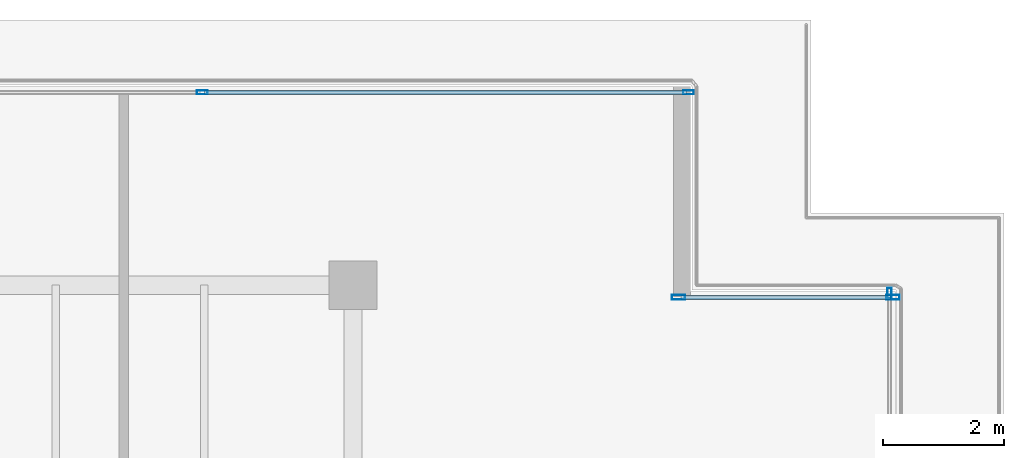
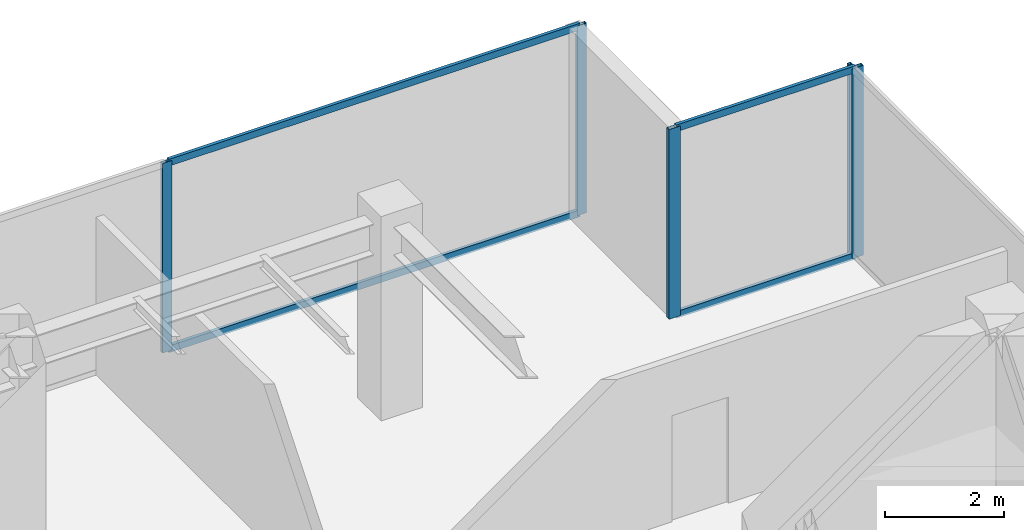
# One storey, part 24 of 34: 9 members, 3 elements without a shape of their own.
"""IFC4 building model written with IfcOpenShell, lengths in metres."""

from ifc_helpers import new_model, si_unit, direction, frame, origin, origin_2d, place, context, subcontext, project, spatial, hollow_rectangle, extrude, source, transform, mapped, material, layer, layer_set, material_profile, profile_set, type_object, type_shapes, element, aggregate, save


model = new_model("IFC4")

# Units and contexts
model_context = context("Model", 3, precision=1e-05, world=origin(), true_north=direction((0.0, 1.0)))
body_context = subcontext(model_context, "Body", "Model", "MODEL_VIEW")
ifc_project = project(units=[si_unit("LENGTHUNIT", "METRE"), si_unit("AREAUNIT", "SQUARE_METRE"), si_unit("VOLUMEUNIT", "CUBIC_METRE"), si_unit("PLANEANGLEUNIT", "RADIAN"), si_unit("MASSUNIT", "GRAM", prefix="KILO")], contexts=[model_context])

# Site, building, storey
site_placement = place(None, origin())
site = spatial("IfcSite", under=ifc_project, at=site_placement, CompositionType="ELEMENT")
building_placement = place(site_placement, origin())
building = spatial("IfcBuilding", under=site, at=building_placement, Name="Haelvirn Gate Laboratories", CompositionType="ELEMENT")
storey_placement = place(building_placement, frame((0.0, 0.0, 297.60009765625)))
storey = spatial("IfcBuildingStorey", under=building, at=storey_placement, Name="L71", CompositionType="ELEMENT", Elevation=297.60009765625)

# Curtain wall, member
ifc_material_1 = material(Name="Anodised bronze unitised aluminium & triple low-E glass", Category="aluminium")
ifc_layer_1 = layer(ifc_material_1, 0.176025390625, Name="CW-SYS-4")
ifc_layer_set_1 = layer_set([ifc_layer_1], Name="Anodised bronze unitised aluminium & triple low-E glass")
curtain_wall_type_1 = type_object("IfcCurtainWallType", Name="CW-SYS-4", PredefinedType="NOTDEFINED", material=ifc_layer_set_1)
curtain_wall_1_placement = place(storey_placement, origin())
curtain_wall_1 = element("IfcCurtainWall", 1, at=curtain_wall_1_placement, inside=storey, type_object=curtain_wall_type_1, Name="L71 Unitised Curtain Wall CW-L71-P0-E07", PredefinedType="NOTDEFINED")
ifc_material_2 = material(Name="Extruded aluminium 6063-T6 (anodised bronze)", Category="aluminium")
ifc_material_profile_1 = material_profile(ifc_material_2, hollow_rectangle(XDim=0.070068359375, YDim=0.179931640625, WallThickness=0.0048828125, at=origin_2d()), Name="CWM-180x70x5")
ifc_profile_set_1 = profile_set([ifc_material_profile_1], Name="Extruded aluminium 6063-T6 (anodised bronze)")
member_type_1 = type_object("IfcMemberType", Name="CWM-T180", PredefinedType="MULLION", material=ifc_profile_set_1)
shared_shape_1 = source(origin(), body_context, "Body", "SweptSolid", [
    extrude(hollow_rectangle(XDim=0.070068359375, YDim=0.179931640625, WallThickness=0.0048828125, at=origin_2d()), origin(), (0.0, 0.0, 1.0), 3.89990234375),
])
type_shapes(member_type_1, [shared_shape_1])
member_1_placement = place(storey_placement, frame((68.89990234375, 41.465087890625, 0.0), z_axis=(0.0, 0.0, 1.0), x_axis=(-1.0, 0.0, 0.0)))
member_1 = element("IfcMember", 2, at=member_1_placement, type_object=member_type_1, Name="CW4 mullion 3", PredefinedType="MULLION", context=body_context, shape_type="MappedRepresentation", body=[
    mapped(shared_shape_1, transform((0.0, 0.0, 0.0), scale=1.0)),
])
aggregate(curtain_wall_1, [member_1])

# Curtain wall, members
curtain_wall_2_placement = place(storey_placement, origin())
curtain_wall_2 = element("IfcCurtainWall", 3, at=curtain_wall_2_placement, inside=storey, type_object=curtain_wall_type_1, Name="L71 Unitised Curtain Wall CW-L71-P0-E10-1", PredefinedType="NOTDEFINED")
member_2_placement = place(storey_placement, frame((57.5, 44.800048828125, 0.0), z_axis=(0.0, 0.0, 1.0), x_axis=(0.0, 1.0, 0.0)))
member_2 = element("IfcMember", 4, at=member_2_placement, type_object=member_type_1, Name="CW4 mullion 2", PredefinedType="MULLION", context=body_context, shape_type="MappedRepresentation", body=[
    mapped(shared_shape_1, transform((0.0, 0.0, 0.0), scale=1.0)),
])
member_3_placement = place(storey_placement, frame((65.56494140625, 44.800048828125, 0.0), z_axis=(0.0, 0.0, 1.0), x_axis=(0.0, 1.0, 0.0)))
member_3 = element("IfcMember", 5, at=member_3_placement, type_object=member_type_1, Name="CW4 mullion 3", PredefinedType="MULLION", context=body_context, shape_type="MappedRepresentation", body=[
    mapped(shared_shape_1, transform((0.0, 0.0, 0.0), scale=1.0)),
])

ifc_layer_2 = layer(ifc_material_1, 0.181884765625, Name="CW-SYS-5")
ifc_layer_set_2 = layer_set([ifc_layer_2], Name="Anodised bronze unitised aluminium & triple low-E glass")
curtain_wall_type_2 = type_object("IfcCurtainWallType", Name="CW-SYS-5", PredefinedType="NOTDEFINED", material=ifc_layer_set_2)
curtain_wall_3_placement = place(storey_placement, origin())
curtain_wall_3 = element("IfcCurtainWall", 6, at=curtain_wall_3_placement, inside=storey, type_object=curtain_wall_type_2, Name="L71 Unitised Curtain Wall CW-L71-P0-E08-1", PredefinedType="NOTDEFINED")
ifc_material_profile_2 = material_profile(ifc_material_2, hollow_rectangle(XDim=0.080078125, YDim=0.219970703125, WallThickness=0.006103515625, at=origin_2d()), Name="CWM-220x80x6")
ifc_profile_set_2 = profile_set([ifc_material_profile_2], Name="Extruded aluminium 6063-T6 (anodised bronze)")
member_type_2 = type_object("IfcMemberType", Name="CWM-T220", PredefinedType="MULLION", material=ifc_profile_set_2)
shared_shape_2 = source(origin(), body_context, "Body", "SweptSolid", [
    extrude(hollow_rectangle(XDim=0.080078125, YDim=0.219970703125, WallThickness=0.006103515625, at=origin_2d()), origin(), (0.0, 0.0, 1.0), 3.89990234375),
])
type_shapes(member_type_2, [shared_shape_2])
member_4_placement = place(storey_placement, frame((65.39990234375, 41.39990234375, 0.0), z_axis=(0.0, 0.0, 1.0), x_axis=(0.0, 1.0, 0.0)))
member_4 = element("IfcMember", 7, at=member_4_placement, type_object=member_type_2, Name="CW5 mullion 1", PredefinedType="MULLION", context=body_context, shape_type="MappedRepresentation", body=[
    mapped(shared_shape_2, transform((0.0, 0.0, 0.0), scale=1.0)),
])
member_5_placement = place(storey_placement, frame((68.9599609375, 41.39990234375, 0.0), z_axis=(0.0, 0.0, 1.0), x_axis=(0.0, 1.0, 0.0)))
member_5 = element("IfcMember", 8, at=member_5_placement, type_object=member_type_2, Name="CW5 mullion 2", PredefinedType="MULLION", context=body_context, shape_type="MappedRepresentation", body=[
    mapped(shared_shape_2, transform((0.0, 0.0, 0.0), scale=1.0)),
])
ifc_material_profile_3 = material_profile(ifc_material_2, hollow_rectangle(XDim=0.06494140625, YDim=0.139892578125, WallThickness=0.00390625, at=origin_2d()), Name="CWT-140x65x4")
ifc_profile_set_3 = profile_set([ifc_material_profile_3], Name="Extruded aluminium 6063-T6 (anodised bronze)")
member_type_3 = type_object("IfcMemberType", Name="CWT-T140", PredefinedType="USERDEFINED", material=ifc_profile_set_3)
shared_shape_3 = source(origin(), body_context, "Body", "SweptSolid", [
    extrude(hollow_rectangle(XDim=0.06494140625, YDim=0.139892578125, WallThickness=0.00390625, at=origin_2d()), origin(), (0.0, 0.0, 1.0), 3.47998046875),
])
member_6_placement = place(storey_placement, frame((65.43994140625, 41.39990234375, 0.032470703125), z_axis=(1.0, 0.0, 0.0), x_axis=(0.0, 1.0, 0.0)))
member_6 = element("IfcMember", 9, at=member_6_placement, type_object=member_type_3, Name="CW5 transom 1.1", ObjectType="TRANSOM", PredefinedType="USERDEFINED", context=body_context, shape_type="MappedRepresentation", body=[
    mapped(shared_shape_3, transform((0.0, 0.0, 0.0), scale=1.0)),
])
member_7_placement = place(storey_placement, frame((65.43994140625, 41.39990234375, 3.867431640625), z_axis=(1.0, 0.0, 0.0), x_axis=(0.0, 1.0, 0.0)))
member_7 = element("IfcMember", 10, at=member_7_placement, type_object=member_type_3, Name="CW5 transom 1.2", ObjectType="TRANSOM", PredefinedType="USERDEFINED", context=body_context, shape_type="MappedRepresentation", body=[
    mapped(shared_shape_3, transform((0.0, 0.0, 0.0), scale=1.0)),
])
aggregate(curtain_wall_3, [member_4, member_5, member_6, member_7])

# Member
shared_shape_4 = source(origin(), body_context, "Body", "SweptSolid", [
    extrude(hollow_rectangle(XDim=0.06494140625, YDim=0.139892578125, WallThickness=0.00390625, at=origin_2d()), origin(), (0.0, 0.0, 1.0), 7.9951171875),
])
type_shapes(member_type_3, [shared_shape_3, shared_shape_4])
member_8_placement = place(storey_placement, frame((57.534912109375, 44.800048828125, 0.032470703125), z_axis=(1.0, 0.0, 0.0), x_axis=(0.0, 1.0, 0.0)))
member_8 = element("IfcMember", 11, at=member_8_placement, type_object=member_type_3, Name="CW4 transom 2.1", ObjectType="TRANSOM", PredefinedType="USERDEFINED", context=body_context, shape_type="MappedRepresentation", body=[
    mapped(shared_shape_4, transform((0.0, 0.0, 0.0), scale=1.0)),
])

member_9_placement = place(storey_placement, frame((57.534912109375, 44.800048828125, 3.867431640625), z_axis=(1.0, 0.0, 0.0), x_axis=(0.0, 1.0, 0.0)))
member_9 = element("IfcMember", 12, at=member_9_placement, type_object=member_type_3, Name="CW4 transom 2.2", ObjectType="TRANSOM", PredefinedType="USERDEFINED", context=body_context, shape_type="MappedRepresentation", body=[
    mapped(shared_shape_4, transform((0.0, 0.0, 0.0), scale=1.0)),
])

aggregate(curtain_wall_2, [member_2, member_3, member_8, member_9])

save(model, "model.ifc")
